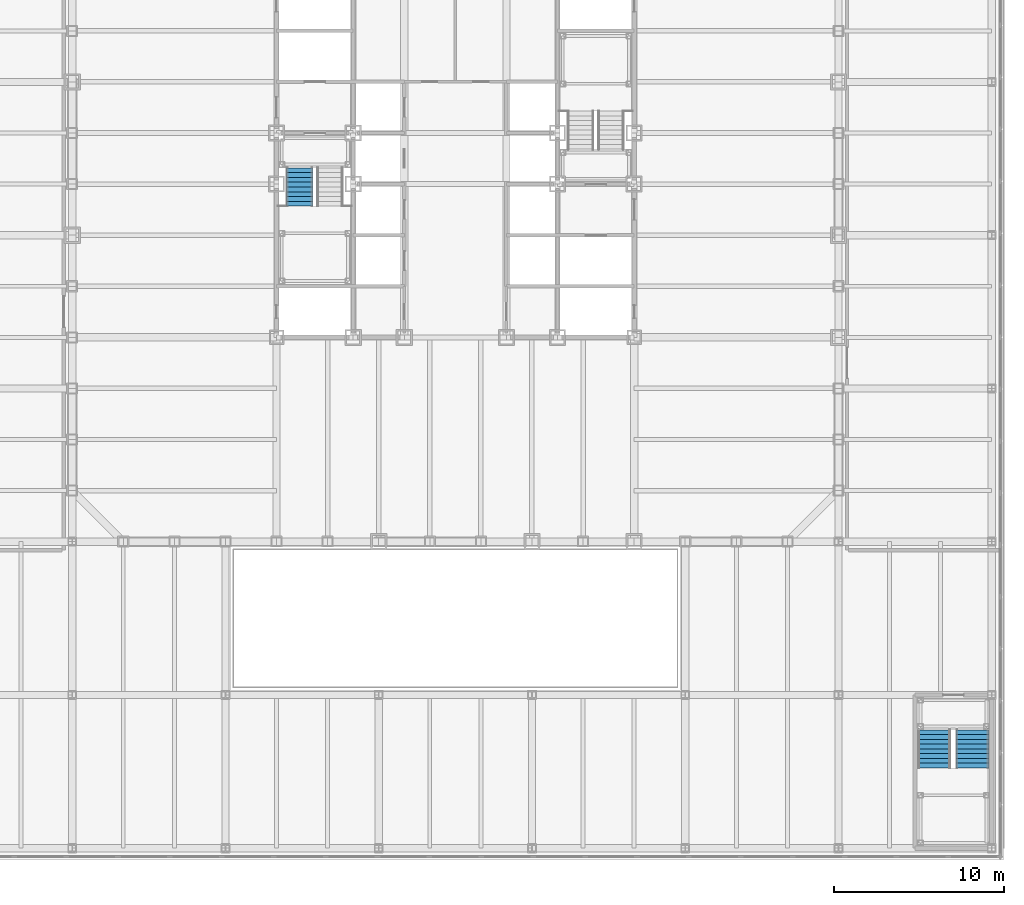
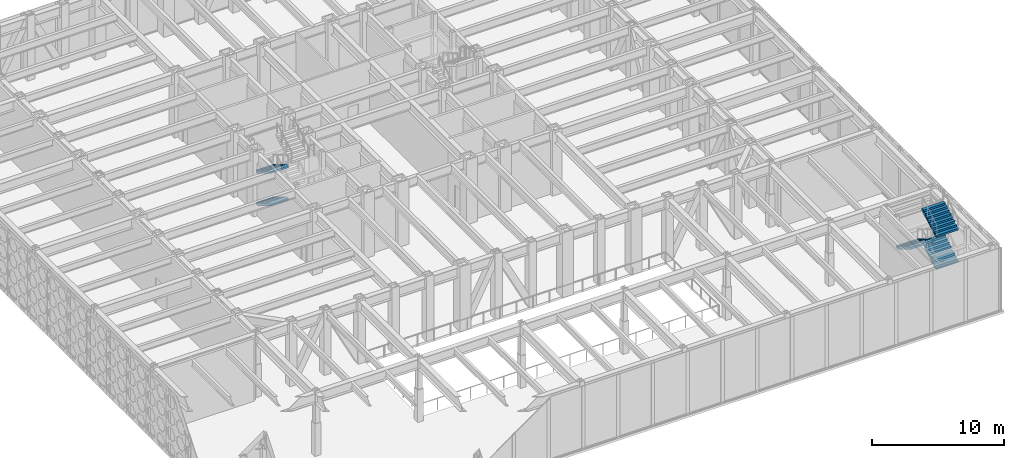
# One storey, part 19 of 32: 5 stair flights, 2 elements without a shape of their own.
"""IFC4 building model written with IfcOpenShell, lengths in metres."""

from ifc_helpers import new_model, si_unit, direction, frame, origin, place, context, subcontext, project, spatial, faceted_brep, material, type_object, element, aggregate, save


model = new_model("IFC4")

# Units and contexts
model_context = context("Model", 3, precision=1e-05, world=origin(), true_north=direction((0.0, 1.0)))
body_context = subcontext(model_context, "Body", "Model", "MODEL_VIEW")
ifc_project = project(units=[si_unit("LENGTHUNIT", "METRE"), si_unit("AREAUNIT", "SQUARE_METRE"), si_unit("VOLUMEUNIT", "CUBIC_METRE"), si_unit("PLANEANGLEUNIT", "RADIAN"), si_unit("MASSUNIT", "GRAM", prefix="KILO")], contexts=[model_context])

# Site, building, storey
site_placement = place(None, origin())
site = spatial("IfcSite", under=ifc_project, at=site_placement, CompositionType="ELEMENT")
building_placement = place(site_placement, origin())
building = spatial("IfcBuilding", under=site, at=building_placement, Name="Chuquiago Exchange Tower", CompositionType="ELEMENT")
storey_placement = place(building_placement, frame((0.0, 0.0, 13.5)))
storey = spatial("IfcBuildingStorey", under=building, at=storey_placement, Name="L02", CompositionType="ELEMENT", Elevation=13.5)

# Stair, stair flights
ifc_material_1 = material(Name="Concrete C30/37, precast", Category="concrete")
stair_type_1 = type_object("IfcStairType", Name="ST1 double half-turn stair 6000", PredefinedType="DOUBLE_RETURN_STAIR", material=ifc_material_1)
stair_1_placement = place(storey_placement, origin())
stair_1 = element("IfcStair", 1, at=stair_1_placement, inside=storey, type_object=stair_type_1, Name="Stair ST1 L02", PredefinedType="DOUBLE_RETURN_STAIR")
ifc_material_2 = material(Name="Concrete C30/37, precast", Category="concrete")
stair_flight_type_1 = type_object("IfcStairFlightType", Name="ST-F flight 1570 for 6000 storey", PredefinedType="STRAIGHT", material=ifc_material_2)
stair_flight_1_placement = place(storey_placement, frame((13.360107421875, 21.949951171875, 0.0), z_axis=(0.0, 0.0, 1.0), x_axis=(0.0, -1.0, 0.0)))
stair_flight_1 = element("IfcStairFlight", 2, at=stair_flight_1_placement, type_object=stair_flight_type_1, Name="ST1 flight 1", NumberOfRisers=9, NumberOfTreads=8, PredefinedType="STRAIGHT", RiserHeight=0.166666667, TreadLength=0.28, context=body_context, shape_type="Brep", body=[
    faceted_brep([(0.0, 0.78515625, 0.0), (0.0, 0.78515625, 0.166748046875), (0.280029296875, 0.78515625, 0.166748046875), (0.280029296875, 0.78515625, 0.333251953125), (0.56005859375, 0.78515625, 0.333251953125), (0.56005859375, 0.78515625, 0.5), (0.840087890625, 0.78515625, 0.5), (0.840087890625, 0.78515625, 0.666748046875), (1.1201171875, 0.78515625, 0.666748046875), (1.1201171875, 0.78515625, 0.833251953125), (1.39990234375, 0.78515625, 0.833251953125), (1.39990234375, 0.78515625, 1.0), (1.679931640625, 0.78515625, 1.0), (1.679931640625, 0.78515625, 1.166748046875), (1.9599609375, 0.78515625, 1.166748046875), (1.9599609375, 0.78515625, 1.333251953125), (2.239990234375, 0.78515625, 1.333251953125), (2.239990234375, 0.78515625, 1.158935546875), (0.29296875, 0.78515625, 0.0), (0.29296875, -0.78515625, 0.0), (2.239990234375, -0.78515625, 1.158935546875), (2.239990234375, -0.78515625, 1.333251953125), (1.9599609375, -0.78515625, 1.333251953125), (1.9599609375, -0.78515625, 1.166748046875), (1.679931640625, -0.78515625, 1.166748046875), (1.679931640625, -0.78515625, 1.0), (1.39990234375, -0.78515625, 1.0), (1.39990234375, -0.78515625, 0.833251953125), (1.1201171875, -0.78515625, 0.833251953125), (1.1201171875, -0.78515625, 0.666748046875), (0.840087890625, -0.78515625, 0.666748046875), (0.840087890625, -0.78515625, 0.5), (0.56005859375, -0.78515625, 0.5), (0.56005859375, -0.78515625, 0.333251953125), (0.280029296875, -0.78515625, 0.333251953125), (0.280029296875, -0.78515625, 0.166748046875), (0.0, -0.78515625, 0.166748046875), (0.0, -0.78515625, 0.0), (0.0, 0.392578125, 0.0), (0.0, 0.392578125, 0.166748046875), (0.0, 0.0, 0.0), (0.0, 0.0, 0.166748046875), (0.0, -0.392578125, 0.0), (0.0, -0.392578125, 0.166748046875), (0.280029296875, 0.392578125, 0.166748046875), (0.280029296875, 0.0, 0.166748046875), (0.280029296875, -0.392578125, 0.166748046875), (0.280029296875, 0.392578125, 0.333251953125), (0.280029296875, 0.0, 0.333251953125), (0.280029296875, -0.392578125, 0.333251953125), (0.56005859375, 0.392578125, 0.333251953125), (0.56005859375, 0.0, 0.333251953125), (0.56005859375, -0.392578125, 0.333251953125), (0.56005859375, 0.392578125, 0.5), (0.56005859375, 0.0, 0.5), (0.56005859375, -0.392578125, 0.5), (0.840087890625, 0.392578125, 0.5), (0.840087890625, 0.0, 0.5), (0.840087890625, -0.392578125, 0.5), (0.840087890625, 0.392578125, 0.666748046875), (0.840087890625, 0.0, 0.666748046875), (0.840087890625, -0.392578125, 0.666748046875), (1.1201171875, 0.392578125, 0.666748046875), (1.1201171875, 0.0, 0.666748046875), (1.1201171875, -0.392578125, 0.666748046875), (1.1201171875, 0.392578125, 0.833251953125), (1.1201171875, 0.0, 0.833251953125), (1.1201171875, -0.392578125, 0.833251953125), (1.39990234375, 0.392578125, 0.833251953125), (1.39990234375, 0.0, 0.833251953125), (1.39990234375, -0.392578125, 0.833251953125), (1.39990234375, 0.392578125, 1.0), (1.39990234375, 0.0, 1.0), (1.39990234375, -0.392578125, 1.0), (1.679931640625, 0.392578125, 1.0), (1.679931640625, 0.0, 1.0), (1.679931640625, -0.392578125, 1.0), (1.679931640625, 0.392578125, 1.166748046875), (1.679931640625, 0.0, 1.166748046875), (1.679931640625, -0.392578125, 1.166748046875), (1.9599609375, 0.392578125, 1.166748046875), (1.9599609375, 0.0, 1.166748046875), (1.9599609375, -0.392578125, 1.166748046875), (1.9599609375, 0.392578125, 1.333251953125), (1.9599609375, 0.0, 1.333251953125), (1.9599609375, -0.392578125, 1.333251953125), (2.239990234375, 0.392578125, 1.333251953125), (2.239990234375, 0.0, 1.333251953125), (2.239990234375, -0.392578125, 1.333251953125), (2.239990234375, 0.392578125, 1.158935546875), (2.239990234375, 0.0, 1.158935546875), (2.239990234375, -0.392578125, 1.158935546875), (0.29296875, 0.392578125, 0.0), (0.29296875, 0.0, 0.0), (0.29296875, -0.392578125, 0.0)], [[[0, 1, 2, 3, 4, 5, 6, 7, 8, 9, 10, 11, 12, 13, 14, 15, 16, 17, 18]], [[19, 20, 21, 22, 23, 24, 25, 26, 27, 28, 29, 30, 31, 32, 33, 34, 35, 36, 37]], [[1, 0, 38, 39]], [[39, 38, 40, 41]], [[41, 40, 42, 43]], [[43, 42, 37, 36]], [[2, 1, 39, 44]], [[44, 39, 41, 45]], [[45, 41, 43, 46]], [[46, 43, 36, 35]], [[3, 2, 44, 47]], [[47, 44, 45, 48]], [[48, 45, 46, 49]], [[49, 46, 35, 34]], [[4, 3, 47, 50]], [[50, 47, 48, 51]], [[51, 48, 49, 52]], [[52, 49, 34, 33]], [[5, 4, 50, 53]], [[53, 50, 51, 54]], [[54, 51, 52, 55]], [[55, 52, 33, 32]], [[6, 5, 53, 56]], [[56, 53, 54, 57]], [[57, 54, 55, 58]], [[58, 55, 32, 31]], [[7, 6, 56, 59]], [[59, 56, 57, 60]], [[60, 57, 58, 61]], [[61, 58, 31, 30]], [[8, 7, 59, 62]], [[62, 59, 60, 63]], [[63, 60, 61, 64]], [[64, 61, 30, 29]], [[9, 8, 62, 65]], [[65, 62, 63, 66]], [[66, 63, 64, 67]], [[67, 64, 29, 28]], [[10, 9, 65, 68]], [[68, 65, 66, 69]], [[69, 66, 67, 70]], [[70, 67, 28, 27]], [[11, 10, 68, 71]], [[71, 68, 69, 72]], [[72, 69, 70, 73]], [[73, 70, 27, 26]], [[12, 11, 71, 74]], [[74, 71, 72, 75]], [[75, 72, 73, 76]], [[76, 73, 26, 25]], [[13, 12, 74, 77]], [[77, 74, 75, 78]], [[78, 75, 76, 79]], [[79, 76, 25, 24]], [[14, 13, 77, 80]], [[80, 77, 78, 81]], [[81, 78, 79, 82]], [[82, 79, 24, 23]], [[15, 14, 80, 83]], [[83, 80, 81, 84]], [[84, 81, 82, 85]], [[85, 82, 23, 22]], [[16, 15, 83, 86]], [[86, 83, 84, 87]], [[87, 84, 85, 88]], [[88, 85, 22, 21]], [[17, 16, 86, 89]], [[89, 86, 87, 90]], [[90, 87, 88, 91]], [[91, 88, 21, 20]], [[18, 17, 89, 92]], [[92, 89, 90, 93]], [[93, 90, 91, 94]], [[94, 91, 20, 19]], [[0, 18, 92, 38]], [[38, 92, 93, 40]], [[40, 93, 94, 42]], [[42, 94, 19, 37]]]),
])
stair_flight_2_placement = place(storey_placement, frame((13.360107421875, 21.949951171875, 3.0), z_axis=(0.0, 0.0, 1.0), x_axis=(0.0, -1.0, 0.0)))
stair_flight_2 = element("IfcStairFlight", 3, at=stair_flight_2_placement, type_object=stair_flight_type_1, Name="ST1 flight 3", NumberOfRisers=9, NumberOfTreads=8, PredefinedType="STRAIGHT", RiserHeight=0.166666667, TreadLength=0.28, context=body_context, shape_type="Brep", body=[
    faceted_brep([(0.0, 0.78515625, 0.0), (0.0, 0.78515625, 0.166748046875), (0.280029296875, 0.78515625, 0.166748046875), (0.280029296875, 0.78515625, 0.333251953125), (0.56005859375, 0.78515625, 0.333251953125), (0.56005859375, 0.78515625, 0.5), (0.840087890625, 0.78515625, 0.5), (0.840087890625, 0.78515625, 0.666748046875), (1.1201171875, 0.78515625, 0.666748046875), (1.1201171875, 0.78515625, 0.833251953125), (1.39990234375, 0.78515625, 0.833251953125), (1.39990234375, 0.78515625, 1.0), (1.679931640625, 0.78515625, 1.0), (1.679931640625, 0.78515625, 1.166748046875), (1.9599609375, 0.78515625, 1.166748046875), (1.9599609375, 0.78515625, 1.333251953125), (2.239990234375, 0.78515625, 1.333251953125), (2.239990234375, 0.78515625, 1.158935546875), (0.29296875, 0.78515625, 0.0), (0.29296875, -0.78515625, 0.0), (2.239990234375, -0.78515625, 1.158935546875), (2.239990234375, -0.78515625, 1.333251953125), (1.9599609375, -0.78515625, 1.333251953125), (1.9599609375, -0.78515625, 1.166748046875), (1.679931640625, -0.78515625, 1.166748046875), (1.679931640625, -0.78515625, 1.0), (1.39990234375, -0.78515625, 1.0), (1.39990234375, -0.78515625, 0.833251953125), (1.1201171875, -0.78515625, 0.833251953125), (1.1201171875, -0.78515625, 0.666748046875), (0.840087890625, -0.78515625, 0.666748046875), (0.840087890625, -0.78515625, 0.5), (0.56005859375, -0.78515625, 0.5), (0.56005859375, -0.78515625, 0.333251953125), (0.280029296875, -0.78515625, 0.333251953125), (0.280029296875, -0.78515625, 0.166748046875), (0.0, -0.78515625, 0.166748046875), (0.0, -0.78515625, 0.0), (0.0, 0.392578125, 0.0), (0.0, 0.392578125, 0.166748046875), (0.0, 0.0, 0.0), (0.0, 0.0, 0.166748046875), (0.0, -0.392578125, 0.0), (0.0, -0.392578125, 0.166748046875), (0.280029296875, 0.392578125, 0.166748046875), (0.280029296875, 0.0, 0.166748046875), (0.280029296875, -0.392578125, 0.166748046875), (0.280029296875, 0.392578125, 0.333251953125), (0.280029296875, 0.0, 0.333251953125), (0.280029296875, -0.392578125, 0.333251953125), (0.56005859375, 0.392578125, 0.333251953125), (0.56005859375, 0.0, 0.333251953125), (0.56005859375, -0.392578125, 0.333251953125), (0.56005859375, 0.392578125, 0.5), (0.56005859375, 0.0, 0.5), (0.56005859375, -0.392578125, 0.5), (0.840087890625, 0.392578125, 0.5), (0.840087890625, 0.0, 0.5), (0.840087890625, -0.392578125, 0.5), (0.840087890625, 0.392578125, 0.666748046875), (0.840087890625, 0.0, 0.666748046875), (0.840087890625, -0.392578125, 0.666748046875), (1.1201171875, 0.392578125, 0.666748046875), (1.1201171875, 0.0, 0.666748046875), (1.1201171875, -0.392578125, 0.666748046875), (1.1201171875, 0.392578125, 0.833251953125), (1.1201171875, 0.0, 0.833251953125), (1.1201171875, -0.392578125, 0.833251953125), (1.39990234375, 0.392578125, 0.833251953125), (1.39990234375, 0.0, 0.833251953125), (1.39990234375, -0.392578125, 0.833251953125), (1.39990234375, 0.392578125, 1.0), (1.39990234375, 0.0, 1.0), (1.39990234375, -0.392578125, 1.0), (1.679931640625, 0.392578125, 1.0), (1.679931640625, 0.0, 1.0), (1.679931640625, -0.392578125, 1.0), (1.679931640625, 0.392578125, 1.166748046875), (1.679931640625, 0.0, 1.166748046875), (1.679931640625, -0.392578125, 1.166748046875), (1.9599609375, 0.392578125, 1.166748046875), (1.9599609375, 0.0, 1.166748046875), (1.9599609375, -0.392578125, 1.166748046875), (1.9599609375, 0.392578125, 1.333251953125), (1.9599609375, 0.0, 1.333251953125), (1.9599609375, -0.392578125, 1.333251953125), (2.239990234375, 0.392578125, 1.333251953125), (2.239990234375, 0.0, 1.333251953125), (2.239990234375, -0.392578125, 1.333251953125), (2.239990234375, 0.392578125, 1.158935546875), (2.239990234375, 0.0, 1.158935546875), (2.239990234375, -0.392578125, 1.158935546875), (0.29296875, 0.392578125, 0.0), (0.29296875, 0.0, 0.0), (0.29296875, -0.392578125, 0.0)], [[[0, 1, 2, 3, 4, 5, 6, 7, 8, 9, 10, 11, 12, 13, 14, 15, 16, 17, 18]], [[19, 20, 21, 22, 23, 24, 25, 26, 27, 28, 29, 30, 31, 32, 33, 34, 35, 36, 37]], [[1, 0, 38, 39]], [[39, 38, 40, 41]], [[41, 40, 42, 43]], [[43, 42, 37, 36]], [[2, 1, 39, 44]], [[44, 39, 41, 45]], [[45, 41, 43, 46]], [[46, 43, 36, 35]], [[3, 2, 44, 47]], [[47, 44, 45, 48]], [[48, 45, 46, 49]], [[49, 46, 35, 34]], [[4, 3, 47, 50]], [[50, 47, 48, 51]], [[51, 48, 49, 52]], [[52, 49, 34, 33]], [[5, 4, 50, 53]], [[53, 50, 51, 54]], [[54, 51, 52, 55]], [[55, 52, 33, 32]], [[6, 5, 53, 56]], [[56, 53, 54, 57]], [[57, 54, 55, 58]], [[58, 55, 32, 31]], [[7, 6, 56, 59]], [[59, 56, 57, 60]], [[60, 57, 58, 61]], [[61, 58, 31, 30]], [[8, 7, 59, 62]], [[62, 59, 60, 63]], [[63, 60, 61, 64]], [[64, 61, 30, 29]], [[9, 8, 62, 65]], [[65, 62, 63, 66]], [[66, 63, 64, 67]], [[67, 64, 29, 28]], [[10, 9, 65, 68]], [[68, 65, 66, 69]], [[69, 66, 67, 70]], [[70, 67, 28, 27]], [[11, 10, 68, 71]], [[71, 68, 69, 72]], [[72, 69, 70, 73]], [[73, 70, 27, 26]], [[12, 11, 71, 74]], [[74, 71, 72, 75]], [[75, 72, 73, 76]], [[76, 73, 26, 25]], [[13, 12, 74, 77]], [[77, 74, 75, 78]], [[78, 75, 76, 79]], [[79, 76, 25, 24]], [[14, 13, 77, 80]], [[80, 77, 78, 81]], [[81, 78, 79, 82]], [[82, 79, 24, 23]], [[15, 14, 80, 83]], [[83, 80, 81, 84]], [[84, 81, 82, 85]], [[85, 82, 23, 22]], [[16, 15, 83, 86]], [[86, 83, 84, 87]], [[87, 84, 85, 88]], [[88, 85, 22, 21]], [[17, 16, 86, 89]], [[89, 86, 87, 90]], [[90, 87, 88, 91]], [[91, 88, 21, 20]], [[18, 17, 89, 92]], [[92, 89, 90, 93]], [[93, 90, 91, 94]], [[94, 91, 20, 19]], [[0, 18, 92, 38]], [[38, 92, 93, 40]], [[40, 93, 94, 42]], [[42, 94, 19, 37]]]),
])
aggregate(stair_1, [stair_flight_1, stair_flight_2])

ifc_material_3 = material(Name="Concrete C30/37, precast", Category="concrete")
stair_type_2 = type_object("IfcStairType", Name="PS2 double half-turn stair 6000", PredefinedType="DOUBLE_RETURN_STAIR", material=ifc_material_3)
stair_2_placement = place(storey_placement, origin())
stair_2 = element("IfcStair", 4, at=stair_2_placement, inside=storey, type_object=stair_type_2, Name="Stair PS2 L02", PredefinedType="DOUBLE_RETURN_STAIR")
ifc_material_4 = material(Name="Concrete C30/37, precast", Category="concrete")
stair_flight_type_2 = type_object("IfcStairFlightType", Name="ST-F flight 1950 for 6000 storey", PredefinedType="STRAIGHT", material=ifc_material_4)
stair_flight_3_placement = place(storey_placement, frame((52.875, -13.2900390625, 1.5), z_axis=(0.0, 0.0, 1.0), x_axis=(0.0, 1.0, 0.0)))
stair_flight_3 = element("IfcStairFlight", 5, at=stair_flight_3_placement, type_object=stair_flight_type_2, Name="PS2 flight 2", NumberOfRisers=9, NumberOfTreads=8, PredefinedType="STRAIGHT", RiserHeight=0.166666667, TreadLength=0.28, context=body_context, shape_type="Brep", body=[
    faceted_brep([(0.0, 0.97509765625, 0.0), (0.0, 0.97509765625, 0.166748046875), (0.280029296875, 0.97509765625, 0.166748046875), (0.280029296875, 0.97509765625, 0.333251953125), (0.56005859375, 0.97509765625, 0.333251953125), (0.56005859375, 0.97509765625, 0.5), (0.840087890625, 0.97509765625, 0.5), (0.840087890625, 0.97509765625, 0.666748046875), (1.1201171875, 0.97509765625, 0.666748046875), (1.1201171875, 0.97509765625, 0.833251953125), (1.39990234375, 0.97509765625, 0.833251953125), (1.39990234375, 0.97509765625, 1.0), (1.679931640625, 0.97509765625, 1.0), (1.679931640625, 0.97509765625, 1.166748046875), (1.9599609375, 0.97509765625, 1.166748046875), (1.9599609375, 0.97509765625, 1.333251953125), (2.239990234375, 0.97509765625, 1.333251953125), (2.239990234375, 0.97509765625, 1.158935546875), (0.29296875, 0.97509765625, 0.0), (0.29296875, -0.97509765625, 0.0), (2.239990234375, -0.97509765625, 1.158935546875), (2.239990234375, -0.97509765625, 1.333251953125), (1.9599609375, -0.97509765625, 1.333251953125), (1.9599609375, -0.97509765625, 1.166748046875), (1.679931640625, -0.97509765625, 1.166748046875), (1.679931640625, -0.97509765625, 1.0), (1.39990234375, -0.97509765625, 1.0), (1.39990234375, -0.97509765625, 0.833251953125), (1.1201171875, -0.97509765625, 0.833251953125), (1.1201171875, -0.97509765625, 0.666748046875), (0.840087890625, -0.97509765625, 0.666748046875), (0.840087890625, -0.97509765625, 0.5), (0.56005859375, -0.97509765625, 0.5), (0.56005859375, -0.97509765625, 0.333251953125), (0.280029296875, -0.97509765625, 0.333251953125), (0.280029296875, -0.97509765625, 0.166748046875), (0.0, -0.97509765625, 0.166748046875), (0.0, -0.97509765625, 0.0), (0.0, 0.487548828125, 0.0), (0.0, 0.487548828125, 0.166748046875), (0.0, 0.0, 0.0), (0.0, 0.0, 0.166748046875), (0.0, -0.487548828125, 0.0), (0.0, -0.487548828125, 0.166748046875), (0.280029296875, 0.487548828125, 0.166748046875), (0.280029296875, 0.0, 0.166748046875), (0.280029296875, -0.487548828125, 0.166748046875), (0.280029296875, 0.487548828125, 0.333251953125), (0.280029296875, 0.0, 0.333251953125), (0.280029296875, -0.487548828125, 0.333251953125), (0.56005859375, 0.487548828125, 0.333251953125), (0.56005859375, 0.0, 0.333251953125), (0.56005859375, -0.487548828125, 0.333251953125), (0.56005859375, 0.487548828125, 0.5), (0.56005859375, 0.0, 0.5), (0.56005859375, -0.487548828125, 0.5), (0.840087890625, 0.487548828125, 0.5), (0.840087890625, 0.0, 0.5), (0.840087890625, -0.487548828125, 0.5), (0.840087890625, 0.487548828125, 0.666748046875), (0.840087890625, 0.0, 0.666748046875), (0.840087890625, -0.487548828125, 0.666748046875), (1.1201171875, 0.487548828125, 0.666748046875), (1.1201171875, 0.0, 0.666748046875), (1.1201171875, -0.487548828125, 0.666748046875), (1.1201171875, 0.487548828125, 0.833251953125), (1.1201171875, 0.0, 0.833251953125), (1.1201171875, -0.487548828125, 0.833251953125), (1.39990234375, 0.487548828125, 0.833251953125), (1.39990234375, 0.0, 0.833251953125), (1.39990234375, -0.487548828125, 0.833251953125), (1.39990234375, 0.487548828125, 1.0), (1.39990234375, 0.0, 1.0), (1.39990234375, -0.487548828125, 1.0), (1.679931640625, 0.487548828125, 1.0), (1.679931640625, 0.0, 1.0), (1.679931640625, -0.487548828125, 1.0), (1.679931640625, 0.487548828125, 1.166748046875), (1.679931640625, 0.0, 1.166748046875), (1.679931640625, -0.487548828125, 1.166748046875), (1.9599609375, 0.487548828125, 1.166748046875), (1.9599609375, 0.0, 1.166748046875), (1.9599609375, -0.487548828125, 1.166748046875), (1.9599609375, 0.487548828125, 1.333251953125), (1.9599609375, 0.0, 1.333251953125), (1.9599609375, -0.487548828125, 1.333251953125), (2.239990234375, 0.487548828125, 1.333251953125), (2.239990234375, 0.0, 1.333251953125), (2.239990234375, -0.487548828125, 1.333251953125), (2.239990234375, 0.487548828125, 1.158935546875), (2.239990234375, 0.0, 1.158935546875), (2.239990234375, -0.487548828125, 1.158935546875), (0.29296875, 0.487548828125, 0.0), (0.29296875, 0.0, 0.0), (0.29296875, -0.487548828125, 0.0)], [[[0, 1, 2, 3, 4, 5, 6, 7, 8, 9, 10, 11, 12, 13, 14, 15, 16, 17, 18]], [[19, 20, 21, 22, 23, 24, 25, 26, 27, 28, 29, 30, 31, 32, 33, 34, 35, 36, 37]], [[1, 0, 38, 39]], [[39, 38, 40, 41]], [[41, 40, 42, 43]], [[43, 42, 37, 36]], [[2, 1, 39, 44]], [[44, 39, 41, 45]], [[45, 41, 43, 46]], [[46, 43, 36, 35]], [[3, 2, 44, 47]], [[47, 44, 45, 48]], [[48, 45, 46, 49]], [[49, 46, 35, 34]], [[4, 3, 47, 50]], [[50, 47, 48, 51]], [[51, 48, 49, 52]], [[52, 49, 34, 33]], [[5, 4, 50, 53]], [[53, 50, 51, 54]], [[54, 51, 52, 55]], [[55, 52, 33, 32]], [[6, 5, 53, 56]], [[56, 53, 54, 57]], [[57, 54, 55, 58]], [[58, 55, 32, 31]], [[7, 6, 56, 59]], [[59, 56, 57, 60]], [[60, 57, 58, 61]], [[61, 58, 31, 30]], [[8, 7, 59, 62]], [[62, 59, 60, 63]], [[63, 60, 61, 64]], [[64, 61, 30, 29]], [[9, 8, 62, 65]], [[65, 62, 63, 66]], [[66, 63, 64, 67]], [[67, 64, 29, 28]], [[10, 9, 65, 68]], [[68, 65, 66, 69]], [[69, 66, 67, 70]], [[70, 67, 28, 27]], [[11, 10, 68, 71]], [[71, 68, 69, 72]], [[72, 69, 70, 73]], [[73, 70, 27, 26]], [[12, 11, 71, 74]], [[74, 71, 72, 75]], [[75, 72, 73, 76]], [[76, 73, 26, 25]], [[13, 12, 74, 77]], [[77, 74, 75, 78]], [[78, 75, 76, 79]], [[79, 76, 25, 24]], [[14, 13, 77, 80]], [[80, 77, 78, 81]], [[81, 78, 79, 82]], [[82, 79, 24, 23]], [[15, 14, 80, 83]], [[83, 80, 81, 84]], [[84, 81, 82, 85]], [[85, 82, 23, 22]], [[16, 15, 83, 86]], [[86, 83, 84, 87]], [[87, 84, 85, 88]], [[88, 85, 22, 21]], [[17, 16, 86, 89]], [[89, 86, 87, 90]], [[90, 87, 88, 91]], [[91, 88, 21, 20]], [[18, 17, 89, 92]], [[92, 89, 90, 93]], [[93, 90, 91, 94]], [[94, 91, 20, 19]], [[0, 18, 92, 38]], [[38, 92, 93, 40]], [[40, 93, 94, 42]], [[42, 94, 19, 37]]]),
])
stair_flight_4_placement = place(storey_placement, frame((50.625, -11.050048828125, 3.0), z_axis=(0.0, 0.0, 1.0), x_axis=(0.0, -1.0, 0.0)))
stair_flight_4 = element("IfcStairFlight", 6, at=stair_flight_4_placement, type_object=stair_flight_type_2, Name="PS2 flight 3", NumberOfRisers=9, NumberOfTreads=8, PredefinedType="STRAIGHT", RiserHeight=0.166666667, TreadLength=0.28, context=body_context, shape_type="Brep", body=[
    faceted_brep([(0.0, 0.97509765625, 0.0), (0.0, 0.97509765625, 0.166748046875), (0.280029296875, 0.97509765625, 0.166748046875), (0.280029296875, 0.97509765625, 0.333251953125), (0.56005859375, 0.97509765625, 0.333251953125), (0.56005859375, 0.97509765625, 0.5), (0.840087890625, 0.97509765625, 0.5), (0.840087890625, 0.97509765625, 0.666748046875), (1.1201171875, 0.97509765625, 0.666748046875), (1.1201171875, 0.97509765625, 0.833251953125), (1.39990234375, 0.97509765625, 0.833251953125), (1.39990234375, 0.97509765625, 1.0), (1.679931640625, 0.97509765625, 1.0), (1.679931640625, 0.97509765625, 1.166748046875), (1.9599609375, 0.97509765625, 1.166748046875), (1.9599609375, 0.97509765625, 1.333251953125), (2.239990234375, 0.97509765625, 1.333251953125), (2.239990234375, 0.97509765625, 1.158935546875), (0.29296875, 0.97509765625, 0.0), (0.29296875, -0.97509765625, 0.0), (2.239990234375, -0.97509765625, 1.158935546875), (2.239990234375, -0.97509765625, 1.333251953125), (1.9599609375, -0.97509765625, 1.333251953125), (1.9599609375, -0.97509765625, 1.166748046875), (1.679931640625, -0.97509765625, 1.166748046875), (1.679931640625, -0.97509765625, 1.0), (1.39990234375, -0.97509765625, 1.0), (1.39990234375, -0.97509765625, 0.833251953125), (1.1201171875, -0.97509765625, 0.833251953125), (1.1201171875, -0.97509765625, 0.666748046875), (0.840087890625, -0.97509765625, 0.666748046875), (0.840087890625, -0.97509765625, 0.5), (0.56005859375, -0.97509765625, 0.5), (0.56005859375, -0.97509765625, 0.333251953125), (0.280029296875, -0.97509765625, 0.333251953125), (0.280029296875, -0.97509765625, 0.166748046875), (0.0, -0.97509765625, 0.166748046875), (0.0, -0.97509765625, 0.0), (0.0, 0.487548828125, 0.0), (0.0, 0.487548828125, 0.166748046875), (0.0, 0.0, 0.0), (0.0, 0.0, 0.166748046875), (0.0, -0.487548828125, 0.0), (0.0, -0.487548828125, 0.166748046875), (0.280029296875, 0.487548828125, 0.166748046875), (0.280029296875, 0.0, 0.166748046875), (0.280029296875, -0.487548828125, 0.166748046875), (0.280029296875, 0.487548828125, 0.333251953125), (0.280029296875, 0.0, 0.333251953125), (0.280029296875, -0.487548828125, 0.333251953125), (0.56005859375, 0.487548828125, 0.333251953125), (0.56005859375, 0.0, 0.333251953125), (0.56005859375, -0.487548828125, 0.333251953125), (0.56005859375, 0.487548828125, 0.5), (0.56005859375, 0.0, 0.5), (0.56005859375, -0.487548828125, 0.5), (0.840087890625, 0.487548828125, 0.5), (0.840087890625, 0.0, 0.5), (0.840087890625, -0.487548828125, 0.5), (0.840087890625, 0.487548828125, 0.666748046875), (0.840087890625, 0.0, 0.666748046875), (0.840087890625, -0.487548828125, 0.666748046875), (1.1201171875, 0.487548828125, 0.666748046875), (1.1201171875, 0.0, 0.666748046875), (1.1201171875, -0.487548828125, 0.666748046875), (1.1201171875, 0.487548828125, 0.833251953125), (1.1201171875, 0.0, 0.833251953125), (1.1201171875, -0.487548828125, 0.833251953125), (1.39990234375, 0.487548828125, 0.833251953125), (1.39990234375, 0.0, 0.833251953125), (1.39990234375, -0.487548828125, 0.833251953125), (1.39990234375, 0.487548828125, 1.0), (1.39990234375, 0.0, 1.0), (1.39990234375, -0.487548828125, 1.0), (1.679931640625, 0.487548828125, 1.0), (1.679931640625, 0.0, 1.0), (1.679931640625, -0.487548828125, 1.0), (1.679931640625, 0.487548828125, 1.166748046875), (1.679931640625, 0.0, 1.166748046875), (1.679931640625, -0.487548828125, 1.166748046875), (1.9599609375, 0.487548828125, 1.166748046875), (1.9599609375, 0.0, 1.166748046875), (1.9599609375, -0.487548828125, 1.166748046875), (1.9599609375, 0.487548828125, 1.333251953125), (1.9599609375, 0.0, 1.333251953125), (1.9599609375, -0.487548828125, 1.333251953125), (2.239990234375, 0.487548828125, 1.333251953125), (2.239990234375, 0.0, 1.333251953125), (2.239990234375, -0.487548828125, 1.333251953125), (2.239990234375, 0.487548828125, 1.158935546875), (2.239990234375, 0.0, 1.158935546875), (2.239990234375, -0.487548828125, 1.158935546875), (0.29296875, 0.487548828125, 0.0), (0.29296875, 0.0, 0.0), (0.29296875, -0.487548828125, 0.0)], [[[0, 1, 2, 3, 4, 5, 6, 7, 8, 9, 10, 11, 12, 13, 14, 15, 16, 17, 18]], [[19, 20, 21, 22, 23, 24, 25, 26, 27, 28, 29, 30, 31, 32, 33, 34, 35, 36, 37]], [[1, 0, 38, 39]], [[39, 38, 40, 41]], [[41, 40, 42, 43]], [[43, 42, 37, 36]], [[2, 1, 39, 44]], [[44, 39, 41, 45]], [[45, 41, 43, 46]], [[46, 43, 36, 35]], [[3, 2, 44, 47]], [[47, 44, 45, 48]], [[48, 45, 46, 49]], [[49, 46, 35, 34]], [[4, 3, 47, 50]], [[50, 47, 48, 51]], [[51, 48, 49, 52]], [[52, 49, 34, 33]], [[5, 4, 50, 53]], [[53, 50, 51, 54]], [[54, 51, 52, 55]], [[55, 52, 33, 32]], [[6, 5, 53, 56]], [[56, 53, 54, 57]], [[57, 54, 55, 58]], [[58, 55, 32, 31]], [[7, 6, 56, 59]], [[59, 56, 57, 60]], [[60, 57, 58, 61]], [[61, 58, 31, 30]], [[8, 7, 59, 62]], [[62, 59, 60, 63]], [[63, 60, 61, 64]], [[64, 61, 30, 29]], [[9, 8, 62, 65]], [[65, 62, 63, 66]], [[66, 63, 64, 67]], [[67, 64, 29, 28]], [[10, 9, 65, 68]], [[68, 65, 66, 69]], [[69, 66, 67, 70]], [[70, 67, 28, 27]], [[11, 10, 68, 71]], [[71, 68, 69, 72]], [[72, 69, 70, 73]], [[73, 70, 27, 26]], [[12, 11, 71, 74]], [[74, 71, 72, 75]], [[75, 72, 73, 76]], [[76, 73, 26, 25]], [[13, 12, 74, 77]], [[77, 74, 75, 78]], [[78, 75, 76, 79]], [[79, 76, 25, 24]], [[14, 13, 77, 80]], [[80, 77, 78, 81]], [[81, 78, 79, 82]], [[82, 79, 24, 23]], [[15, 14, 80, 83]], [[83, 80, 81, 84]], [[84, 81, 82, 85]], [[85, 82, 23, 22]], [[16, 15, 83, 86]], [[86, 83, 84, 87]], [[87, 84, 85, 88]], [[88, 85, 22, 21]], [[17, 16, 86, 89]], [[89, 86, 87, 90]], [[90, 87, 88, 91]], [[91, 88, 21, 20]], [[18, 17, 89, 92]], [[92, 89, 90, 93]], [[93, 90, 91, 94]], [[94, 91, 20, 19]], [[0, 18, 92, 38]], [[38, 92, 93, 40]], [[40, 93, 94, 42]], [[42, 94, 19, 37]]]),
])
stair_flight_5_placement = place(storey_placement, frame((52.875, -13.2900390625, 4.5), z_axis=(0.0, 0.0, 1.0), x_axis=(0.0, 1.0, 0.0)))
stair_flight_5 = element("IfcStairFlight", 7, at=stair_flight_5_placement, type_object=stair_flight_type_2, Name="PS2 flight 4", NumberOfRisers=9, NumberOfTreads=8, PredefinedType="STRAIGHT", RiserHeight=0.166666667, TreadLength=0.28, context=body_context, shape_type="Brep", body=[
    faceted_brep([(0.0, 0.97509765625, 0.0), (0.0, 0.97509765625, 0.166748046875), (0.280029296875, 0.97509765625, 0.166748046875), (0.280029296875, 0.97509765625, 0.333251953125), (0.56005859375, 0.97509765625, 0.333251953125), (0.56005859375, 0.97509765625, 0.5), (0.840087890625, 0.97509765625, 0.5), (0.840087890625, 0.97509765625, 0.666748046875), (1.1201171875, 0.97509765625, 0.666748046875), (1.1201171875, 0.97509765625, 0.833251953125), (1.39990234375, 0.97509765625, 0.833251953125), (1.39990234375, 0.97509765625, 1.0), (1.679931640625, 0.97509765625, 1.0), (1.679931640625, 0.97509765625, 1.166748046875), (1.9599609375, 0.97509765625, 1.166748046875), (1.9599609375, 0.97509765625, 1.333251953125), (2.239990234375, 0.97509765625, 1.333251953125), (2.239990234375, 0.97509765625, 1.158935546875), (0.29296875, 0.97509765625, 0.0), (0.29296875, -0.97509765625, 0.0), (2.239990234375, -0.97509765625, 1.158935546875), (2.239990234375, -0.97509765625, 1.333251953125), (1.9599609375, -0.97509765625, 1.333251953125), (1.9599609375, -0.97509765625, 1.166748046875), (1.679931640625, -0.97509765625, 1.166748046875), (1.679931640625, -0.97509765625, 1.0), (1.39990234375, -0.97509765625, 1.0), (1.39990234375, -0.97509765625, 0.833251953125), (1.1201171875, -0.97509765625, 0.833251953125), (1.1201171875, -0.97509765625, 0.666748046875), (0.840087890625, -0.97509765625, 0.666748046875), (0.840087890625, -0.97509765625, 0.5), (0.56005859375, -0.97509765625, 0.5), (0.56005859375, -0.97509765625, 0.333251953125), (0.280029296875, -0.97509765625, 0.333251953125), (0.280029296875, -0.97509765625, 0.166748046875), (0.0, -0.97509765625, 0.166748046875), (0.0, -0.97509765625, 0.0), (0.0, 0.487548828125, 0.0), (0.0, 0.487548828125, 0.166748046875), (0.0, 0.0, 0.0), (0.0, 0.0, 0.166748046875), (0.0, -0.487548828125, 0.0), (0.0, -0.487548828125, 0.166748046875), (0.280029296875, 0.487548828125, 0.166748046875), (0.280029296875, 0.0, 0.166748046875), (0.280029296875, -0.487548828125, 0.166748046875), (0.280029296875, 0.487548828125, 0.333251953125), (0.280029296875, 0.0, 0.333251953125), (0.280029296875, -0.487548828125, 0.333251953125), (0.56005859375, 0.487548828125, 0.333251953125), (0.56005859375, 0.0, 0.333251953125), (0.56005859375, -0.487548828125, 0.333251953125), (0.56005859375, 0.487548828125, 0.5), (0.56005859375, 0.0, 0.5), (0.56005859375, -0.487548828125, 0.5), (0.840087890625, 0.487548828125, 0.5), (0.840087890625, 0.0, 0.5), (0.840087890625, -0.487548828125, 0.5), (0.840087890625, 0.487548828125, 0.666748046875), (0.840087890625, 0.0, 0.666748046875), (0.840087890625, -0.487548828125, 0.666748046875), (1.1201171875, 0.487548828125, 0.666748046875), (1.1201171875, 0.0, 0.666748046875), (1.1201171875, -0.487548828125, 0.666748046875), (1.1201171875, 0.487548828125, 0.833251953125), (1.1201171875, 0.0, 0.833251953125), (1.1201171875, -0.487548828125, 0.833251953125), (1.39990234375, 0.487548828125, 0.833251953125), (1.39990234375, 0.0, 0.833251953125), (1.39990234375, -0.487548828125, 0.833251953125), (1.39990234375, 0.487548828125, 1.0), (1.39990234375, 0.0, 1.0), (1.39990234375, -0.487548828125, 1.0), (1.679931640625, 0.487548828125, 1.0), (1.679931640625, 0.0, 1.0), (1.679931640625, -0.487548828125, 1.0), (1.679931640625, 0.487548828125, 1.166748046875), (1.679931640625, 0.0, 1.166748046875), (1.679931640625, -0.487548828125, 1.166748046875), (1.9599609375, 0.487548828125, 1.166748046875), (1.9599609375, 0.0, 1.166748046875), (1.9599609375, -0.487548828125, 1.166748046875), (1.9599609375, 0.487548828125, 1.333251953125), (1.9599609375, 0.0, 1.333251953125), (1.9599609375, -0.487548828125, 1.333251953125), (2.239990234375, 0.487548828125, 1.333251953125), (2.239990234375, 0.0, 1.333251953125), (2.239990234375, -0.487548828125, 1.333251953125), (2.239990234375, 0.487548828125, 1.158935546875), (2.239990234375, 0.0, 1.158935546875), (2.239990234375, -0.487548828125, 1.158935546875), (0.29296875, 0.487548828125, 0.0), (0.29296875, 0.0, 0.0), (0.29296875, -0.487548828125, 0.0)], [[[0, 1, 2, 3, 4, 5, 6, 7, 8, 9, 10, 11, 12, 13, 14, 15, 16, 17, 18]], [[19, 20, 21, 22, 23, 24, 25, 26, 27, 28, 29, 30, 31, 32, 33, 34, 35, 36, 37]], [[1, 0, 38, 39]], [[39, 38, 40, 41]], [[41, 40, 42, 43]], [[43, 42, 37, 36]], [[2, 1, 39, 44]], [[44, 39, 41, 45]], [[45, 41, 43, 46]], [[46, 43, 36, 35]], [[3, 2, 44, 47]], [[47, 44, 45, 48]], [[48, 45, 46, 49]], [[49, 46, 35, 34]], [[4, 3, 47, 50]], [[50, 47, 48, 51]], [[51, 48, 49, 52]], [[52, 49, 34, 33]], [[5, 4, 50, 53]], [[53, 50, 51, 54]], [[54, 51, 52, 55]], [[55, 52, 33, 32]], [[6, 5, 53, 56]], [[56, 53, 54, 57]], [[57, 54, 55, 58]], [[58, 55, 32, 31]], [[7, 6, 56, 59]], [[59, 56, 57, 60]], [[60, 57, 58, 61]], [[61, 58, 31, 30]], [[8, 7, 59, 62]], [[62, 59, 60, 63]], [[63, 60, 61, 64]], [[64, 61, 30, 29]], [[9, 8, 62, 65]], [[65, 62, 63, 66]], [[66, 63, 64, 67]], [[67, 64, 29, 28]], [[10, 9, 65, 68]], [[68, 65, 66, 69]], [[69, 66, 67, 70]], [[70, 67, 28, 27]], [[11, 10, 68, 71]], [[71, 68, 69, 72]], [[72, 69, 70, 73]], [[73, 70, 27, 26]], [[12, 11, 71, 74]], [[74, 71, 72, 75]], [[75, 72, 73, 76]], [[76, 73, 26, 25]], [[13, 12, 74, 77]], [[77, 74, 75, 78]], [[78, 75, 76, 79]], [[79, 76, 25, 24]], [[14, 13, 77, 80]], [[80, 77, 78, 81]], [[81, 78, 79, 82]], [[82, 79, 24, 23]], [[15, 14, 80, 83]], [[83, 80, 81, 84]], [[84, 81, 82, 85]], [[85, 82, 23, 22]], [[16, 15, 83, 86]], [[86, 83, 84, 87]], [[87, 84, 85, 88]], [[88, 85, 22, 21]], [[17, 16, 86, 89]], [[89, 86, 87, 90]], [[90, 87, 88, 91]], [[91, 88, 21, 20]], [[18, 17, 89, 92]], [[92, 89, 90, 93]], [[93, 90, 91, 94]], [[94, 91, 20, 19]], [[0, 18, 92, 38]], [[38, 92, 93, 40]], [[40, 93, 94, 42]], [[42, 94, 19, 37]]]),
])
aggregate(stair_2, [stair_flight_3, stair_flight_4, stair_flight_5])

save(model, "model.ifc")
